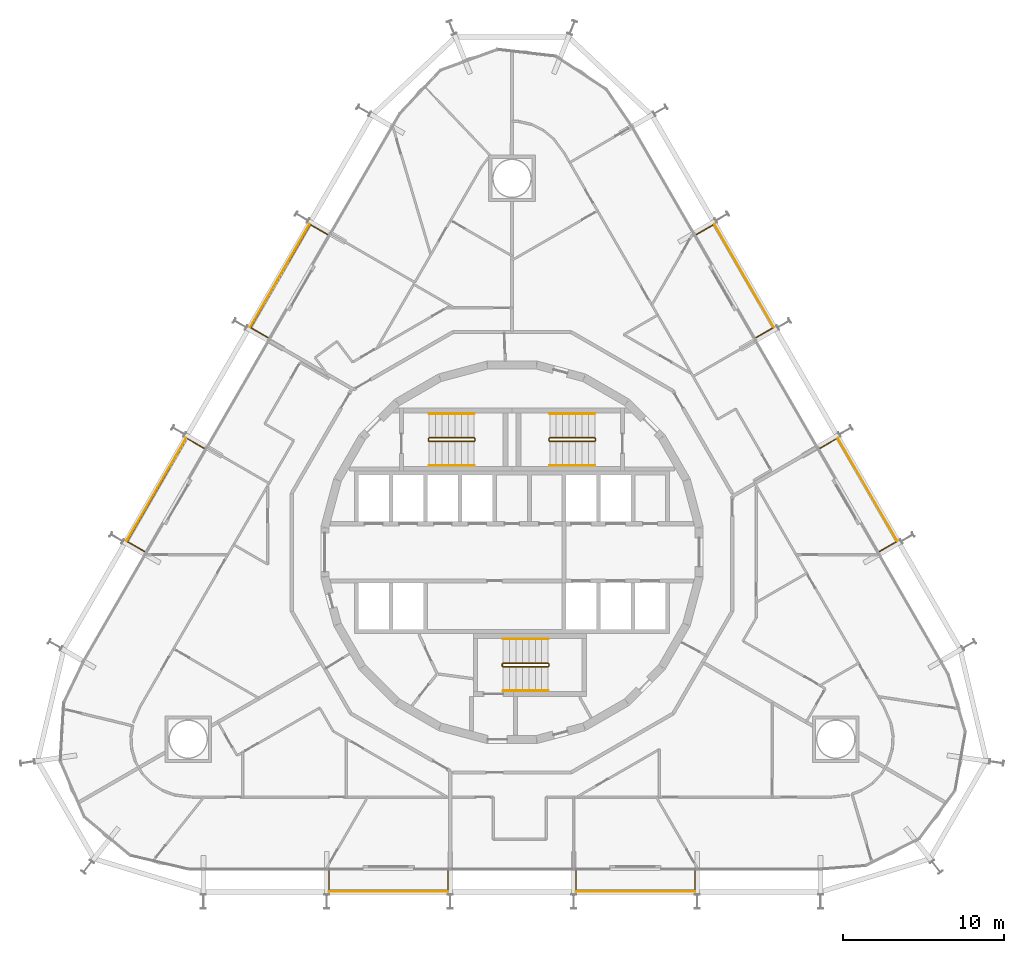
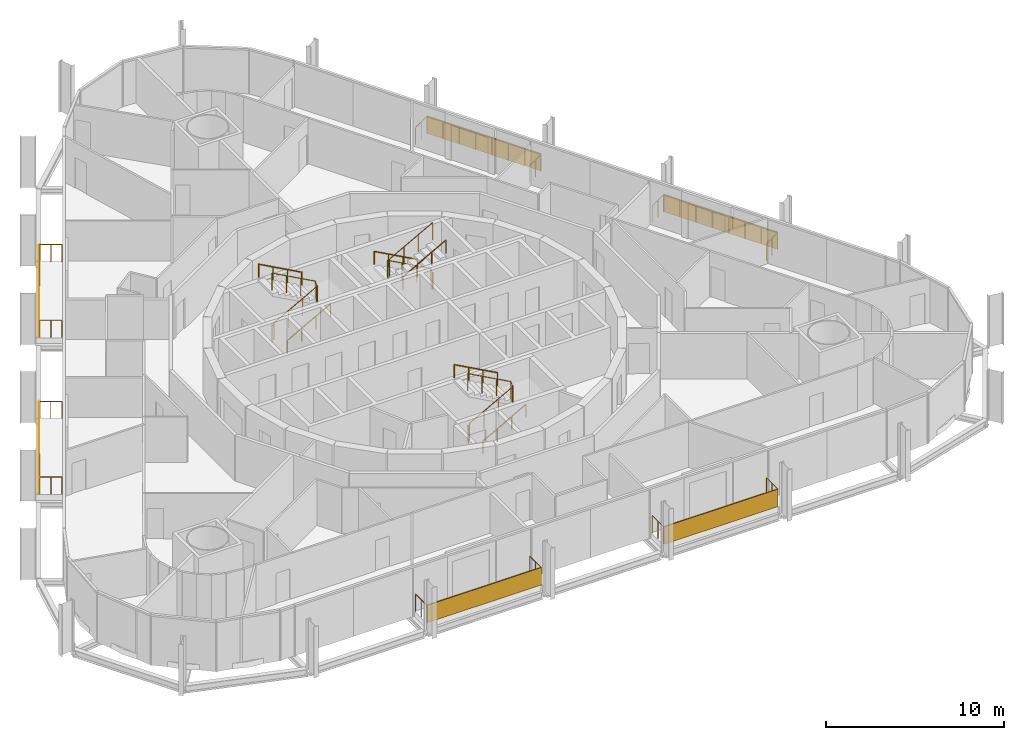
# One storey, part 19 of 19: 15 railings, 6 shading devices.
"""IFC4 building model written with IfcOpenShell, lengths in metres."""

from ifc_helpers import new_model, si_unit, direction, frame, origin, origin_2d, place, context, subcontext, project, spatial, rectangle, circle, extrude, material, layer, layer_set, type_object, element, save


model = new_model("IFC4")

# Units and contexts
model_context = context("Model", 3, precision=1e-05, world=origin(), true_north=direction((0.0, 1.0)))
body_context = subcontext(model_context, "Body", "Model", "MODEL_VIEW")
ifc_project = project(units=[si_unit("LENGTHUNIT", "METRE"), si_unit("AREAUNIT", "SQUARE_METRE"), si_unit("VOLUMEUNIT", "CUBIC_METRE"), si_unit("PLANEANGLEUNIT", "RADIAN"), si_unit("MASSUNIT", "GRAM", prefix="KILO")], contexts=[model_context])

# Site, building, storey
site_placement = place(None, origin())
site = spatial("IfcSite", under=ifc_project, at=site_placement, CompositionType="ELEMENT")
building_placement = place(site_placement, origin())
building = spatial("IfcBuilding", under=site, at=building_placement, Name="Spindle Arch Residences", CompositionType="ELEMENT")
storey_placement = place(building_placement, frame((0.0, 0.0, 45.39990234375)))
storey = spatial("IfcBuildingStorey", under=building, at=storey_placement, Name="L09", CompositionType="ELEMENT", Elevation=45.39990234375)

# Railings
ifc_material_1 = material(Name="Bronze anodised aluminium guard with glass infill", Category="aluminium")
railing_type_1 = type_object("IfcRailingType", Name="Balcony guard 1200", PredefinedType="GUARDRAIL", material=ifc_material_1)
railing_1_placement = place(storey_placement, frame((3.97509765625, -19.81982421875, 0.0)))
element("IfcRailing", 1, at=railing_1_placement, inside=storey, type_object=railing_type_1, Name="Guard L09 bay 1", PredefinedType="GUARDRAIL", context=body_context, shape_type="SweptSolid", body=[
    extrude(circle(Radius=0.02392578125, at=origin_2d()), frame((0.0, 0.0, 1.17578125), z_axis=(0.0, -1.0, 0.0), x_axis=(1.0, 0.0, 0.0)), (0.0, 0.0, 1.0), 1.25),
    extrude(circle(Radius=0.02392578125, at=origin_2d()), frame((0.0, -1.25, 1.17578125), z_axis=(1.0, 0.0, 0.0), x_axis=(0.0, 1.0, 0.0)), (0.0, 0.0, 1.0), 7.409912109375),
    extrude(circle(Radius=0.02392578125, at=origin_2d()), frame((7.409912109375, -1.25, 1.17578125), z_axis=(0.0, 1.0, 0.0), x_axis=(-1.0, 0.0, 0.0)), (0.0, 0.0, 1.0), 1.25),
    extrude(circle(Radius=0.02099609375, at=origin_2d()), origin(), (0.0, 0.0, 1.0), 1.15185546875),
    extrude(circle(Radius=0.02099609375, at=origin_2d()), frame((0.0, -0.625, 0.0)), (0.0, 0.0, 1.0), 1.15185546875),
    extrude(circle(Radius=0.02099609375, at=origin_2d()), frame((0.0, -1.25, 0.0)), (0.0, 0.0, 1.0), 1.15185546875),
    extrude(circle(Radius=0.02099609375, at=origin_2d()), frame((1.05859375, -1.25, 0.0)), (0.0, 0.0, 1.0), 1.15185546875),
    extrude(circle(Radius=0.02099609375, at=origin_2d()), frame((2.1171875, -1.25, 0.0)), (0.0, 0.0, 1.0), 1.15185546875),
    extrude(circle(Radius=0.02099609375, at=origin_2d()), frame((3.17578125, -1.25, 0.0)), (0.0, 0.0, 1.0), 1.15185546875),
    extrude(circle(Radius=0.02099609375, at=origin_2d()), frame((4.234130859375, -1.25, 0.0)), (0.0, 0.0, 1.0), 1.15185546875),
    extrude(circle(Radius=0.02099609375, at=origin_2d()), frame((5.292724609375, -1.25, 0.0)), (0.0, 0.0, 1.0), 1.15185546875),
    extrude(circle(Radius=0.02099609375, at=origin_2d()), frame((6.351318359375, -1.25, 0.0)), (0.0, 0.0, 1.0), 1.15185546875),
    extrude(circle(Radius=0.02099609375, at=origin_2d()), frame((7.409912109375, -1.25, 0.0)), (0.0, 0.0, 1.0), 1.15185546875),
    extrude(circle(Radius=0.02099609375, at=origin_2d()), frame((7.409912109375, -0.625, 0.0)), (0.0, 0.0, 1.0), 1.15185546875),
    extrude(circle(Radius=0.02099609375, at=origin_2d()), frame((7.409912109375, 0.0, 0.0)), (0.0, 0.0, 1.0), 1.15185546875),
])
railing_2_placement = place(storey_placement, frame((22.857177734375, 0.050048828125, 0.0)))
element("IfcRailing", 2, at=railing_2_placement, inside=storey, type_object=railing_type_1, Name="Guard L09 bay 7", PredefinedType="GUARDRAIL", context=body_context, shape_type="SweptSolid", body=[
    extrude(circle(Radius=0.02392578125, at=origin_2d()), frame((0.0, 0.0, 1.17578125), z_axis=(0.866022959057, 0.500004234368, 0.0), x_axis=(-0.500004234368, 0.866022959057, 0.0)), (0.0, 0.0, 1.0), 1.25),
    extrude(circle(Radius=0.02392578125, at=origin_2d()), frame((1.08251953125, 0.625, 1.17578125), z_axis=(-0.499994337101, 0.866028673236, 0.0), x_axis=(-0.866028673236, -0.499994337101, 0.0)), (0.0, 0.0, 1.0), 7.41015625),
    extrude(circle(Radius=0.02392578125, at=origin_2d()), frame((-2.62255859375, 7.04248046875, 1.17578125), z_axis=(-0.866022959057, -0.500004234368, 0.0), x_axis=(0.500004234368, -0.866022959057, 0.0)), (0.0, 0.0, 1.0), 1.25),
    extrude(circle(Radius=0.02099609375, at=origin_2d()), origin(), (0.0, 0.0, 1.0), 1.15185546875),
    extrude(circle(Radius=0.02099609375, at=origin_2d()), frame((0.541259765625, 0.3125, 0.0)), (0.0, 0.0, 1.0), 1.15185546875),
    extrude(circle(Radius=0.02099609375, at=origin_2d()), frame((1.08251953125, 0.625, 0.0)), (0.0, 0.0, 1.0), 1.15185546875),
    extrude(circle(Radius=0.02099609375, at=origin_2d()), frame((0.55322265625, 1.541748046875, 0.0)), (0.0, 0.0, 1.0), 1.15185546875),
    extrude(circle(Radius=0.02099609375, at=origin_2d()), frame((0.02392578125, 2.45849609375, 0.0)), (0.0, 0.0, 1.0), 1.15185546875),
    extrude(circle(Radius=0.02099609375, at=origin_2d()), frame((-0.50537109375, 3.375244140625, 0.0)), (0.0, 0.0, 1.0), 1.15185546875),
    extrude(circle(Radius=0.02099609375, at=origin_2d()), frame((-1.03466796875, 4.292236328125, 0.0)), (0.0, 0.0, 1.0), 1.15185546875),
    extrude(circle(Radius=0.02099609375, at=origin_2d()), frame((-1.56396484375, 5.208984375, 0.0)), (0.0, 0.0, 1.0), 1.15185546875),
    extrude(circle(Radius=0.02099609375, at=origin_2d()), frame((-2.09326171875, 6.125732421875, 0.0)), (0.0, 0.0, 1.0), 1.15185546875),
    extrude(circle(Radius=0.02099609375, at=origin_2d()), frame((-2.62255859375, 7.04248046875, 0.0)), (0.0, 0.0, 1.0), 1.15185546875),
    extrude(circle(Radius=0.02099609375, at=origin_2d()), frame((-3.163818359375, 6.72998046875, 0.0)), (0.0, 0.0, 1.0), 1.15185546875),
    extrude(circle(Radius=0.02099609375, at=origin_2d()), frame((-3.705078125, 6.41748046875, 0.0)), (0.0, 0.0, 1.0), 1.15185546875),
])
railing_3_placement = place(storey_placement, frame((15.177001953125, 13.3525390625, 0.0)))
element("IfcRailing", 3, at=railing_3_placement, inside=storey, type_object=railing_type_1, Name="Guard L09 bay 9", PredefinedType="GUARDRAIL", context=body_context, shape_type="SweptSolid", body=[
    extrude(circle(Radius=0.02392578125, at=origin_2d()), frame((0.0, 0.0, 1.17578125), z_axis=(0.866022959057, 0.500004234368, 0.0), x_axis=(-0.500004234368, 0.866022959057, 0.0)), (0.0, 0.0, 1.0), 1.25),
    extrude(circle(Radius=0.02392578125, at=origin_2d()), frame((1.08251953125, 0.625, 1.17578125), z_axis=(-0.500008603535, 0.866020436474, 0.0), x_axis=(-0.866020436474, -0.500008603535, 0.0)), (0.0, 0.0, 1.0), 7.409912109375),
    extrude(circle(Radius=0.02392578125, at=origin_2d()), frame((-2.62255859375, 7.042236328125, 1.17578125), z_axis=(-0.866022959057, -0.500004234368, 0.0), x_axis=(0.500004234368, -0.866022959057, 0.0)), (0.0, 0.0, 1.0), 1.25),
    extrude(circle(Radius=0.02099609375, at=origin_2d()), origin(), (0.0, 0.0, 1.0), 1.15185546875),
    extrude(circle(Radius=0.02099609375, at=origin_2d()), frame((0.541259765625, 0.3125, 0.0)), (0.0, 0.0, 1.0), 1.15185546875),
    extrude(circle(Radius=0.02099609375, at=origin_2d()), frame((1.08251953125, 0.625, 0.0)), (0.0, 0.0, 1.0), 1.15185546875),
    extrude(circle(Radius=0.02099609375, at=origin_2d()), frame((0.55322265625, 1.541748046875, 0.0)), (0.0, 0.0, 1.0), 1.15185546875),
    extrude(circle(Radius=0.02099609375, at=origin_2d()), frame((0.02392578125, 2.45849609375, 0.0)), (0.0, 0.0, 1.0), 1.15185546875),
    extrude(circle(Radius=0.02099609375, at=origin_2d()), frame((-0.50537109375, 3.375244140625, 0.0)), (0.0, 0.0, 1.0), 1.15185546875),
    extrude(circle(Radius=0.02099609375, at=origin_2d()), frame((-1.03466796875, 4.2919921875, 0.0)), (0.0, 0.0, 1.0), 1.15185546875),
    extrude(circle(Radius=0.02099609375, at=origin_2d()), frame((-1.56396484375, 5.208740234375, 0.0)), (0.0, 0.0, 1.0), 1.15185546875),
    extrude(circle(Radius=0.02099609375, at=origin_2d()), frame((-2.09326171875, 6.12548828125, 0.0)), (0.0, 0.0, 1.0), 1.15185546875),
    extrude(circle(Radius=0.02099609375, at=origin_2d()), frame((-2.62255859375, 7.042236328125, 0.0)), (0.0, 0.0, 1.0), 1.15185546875),
    extrude(circle(Radius=0.02099609375, at=origin_2d()), frame((-3.163818359375, 6.729736328125, 0.0)), (0.0, 0.0, 1.0), 1.15185546875),
    extrude(circle(Radius=0.02099609375, at=origin_2d()), frame((-3.705078125, 6.417236328125, 0.0)), (0.0, 0.0, 1.0), 1.15185546875),
])
railing_4_placement = place(storey_placement, frame((-11.471923828125, 19.769775390625, 0.0)))
element("IfcRailing", 4, at=railing_4_placement, inside=storey, type_object=railing_type_1, Name="Guard L09 bay 15", PredefinedType="GUARDRAIL", context=body_context, shape_type="SweptSolid", body=[
    extrude(circle(Radius=0.02392578125, at=origin_2d()), frame((0.0, 0.0, 1.17578125), z_axis=(-0.866022959057, 0.500004234368, 0.0), x_axis=(-0.500004234368, -0.866022959057, 0.0)), (0.0, 0.0, 1.0), 1.25),
    extrude(circle(Radius=0.02392578125, at=origin_2d()), frame((-1.08251953125, 0.625, 1.17578125), z_axis=(-0.500008603535, -0.866020436474, 0.0), x_axis=(0.866020436474, -0.500008603535, 0.0)), (0.0, 0.0, 1.0), 7.409912109375),
    extrude(circle(Radius=0.02392578125, at=origin_2d()), frame((-4.78759765625, -5.792236328125, 1.17578125), z_axis=(0.866022959057, -0.500004234368, 0.0), x_axis=(0.500004234368, 0.866022959057, 0.0)), (0.0, 0.0, 1.0), 1.25),
    extrude(circle(Radius=0.02099609375, at=origin_2d()), origin(), (0.0, 0.0, 1.0), 1.15185546875),
    extrude(circle(Radius=0.02099609375, at=origin_2d()), frame((-0.541259765625, 0.3125, 0.0)), (0.0, 0.0, 1.0), 1.15185546875),
    extrude(circle(Radius=0.02099609375, at=origin_2d()), frame((-1.08251953125, 0.625, 0.0)), (0.0, 0.0, 1.0), 1.15185546875),
    extrude(circle(Radius=0.02099609375, at=origin_2d()), frame((-1.61181640625, -0.291748046875, 0.0)), (0.0, 0.0, 1.0), 1.15185546875),
    extrude(circle(Radius=0.02099609375, at=origin_2d()), frame((-2.14111328125, -1.20849609375, 0.0)), (0.0, 0.0, 1.0), 1.15185546875),
    extrude(circle(Radius=0.02099609375, at=origin_2d()), frame((-2.67041015625, -2.125244140625, 0.0)), (0.0, 0.0, 1.0), 1.15185546875),
    extrude(circle(Radius=0.02099609375, at=origin_2d()), frame((-3.19970703125, -3.0419921875, 0.0)), (0.0, 0.0, 1.0), 1.15185546875),
    extrude(circle(Radius=0.02099609375, at=origin_2d()), frame((-3.72900390625, -3.958740234375, 0.0)), (0.0, 0.0, 1.0), 1.15185546875),
    extrude(circle(Radius=0.02099609375, at=origin_2d()), frame((-4.25830078125, -4.87548828125, 0.0)), (0.0, 0.0, 1.0), 1.15185546875),
    extrude(circle(Radius=0.02099609375, at=origin_2d()), frame((-4.78759765625, -5.792236328125, 0.0)), (0.0, 0.0, 1.0), 1.15185546875),
    extrude(circle(Radius=0.02099609375, at=origin_2d()), frame((-4.246337890625, -6.104736328125, 0.0)), (0.0, 0.0, 1.0), 1.15185546875),
    extrude(circle(Radius=0.02099609375, at=origin_2d()), frame((-3.705078125, -6.417236328125, 0.0)), (0.0, 0.0, 1.0), 1.15185546875),
])
railing_5_placement = place(storey_placement, frame((-19.152099609375, 6.467529296875, 0.0)))
element("IfcRailing", 5, at=railing_5_placement, inside=storey, type_object=railing_type_1, Name="Guard L09 bay 17", PredefinedType="GUARDRAIL", context=body_context, shape_type="SweptSolid", body=[
    extrude(circle(Radius=0.02392578125, at=origin_2d()), frame((0.0, 0.0, 1.17578125), z_axis=(-0.866022959057, 0.500004234368, 0.0), x_axis=(-0.500004234368, -0.866022959057, 0.0)), (0.0, 0.0, 1.0), 1.25),
    extrude(circle(Radius=0.02392578125, at=origin_2d()), frame((-1.08251953125, 0.625, 1.17578125), z_axis=(-0.499994337101, -0.866028673236, 0.0), x_axis=(0.866028673236, -0.499994337101, 0.0)), (0.0, 0.0, 1.0), 7.41015625),
    extrude(circle(Radius=0.02392578125, at=origin_2d()), frame((-4.78759765625, -5.79248046875, 1.17578125), z_axis=(0.866022959057, -0.500004234368, 0.0), x_axis=(0.500004234368, 0.866022959057, 0.0)), (0.0, 0.0, 1.0), 1.25),
    extrude(circle(Radius=0.02099609375, at=origin_2d()), origin(), (0.0, 0.0, 1.0), 1.15185546875),
    extrude(circle(Radius=0.02099609375, at=origin_2d()), frame((-0.541259765625, 0.3125, 0.0)), (0.0, 0.0, 1.0), 1.15185546875),
    extrude(circle(Radius=0.02099609375, at=origin_2d()), frame((-1.08251953125, 0.625, 0.0)), (0.0, 0.0, 1.0), 1.15185546875),
    extrude(circle(Radius=0.02099609375, at=origin_2d()), frame((-1.61181640625, -0.291748046875, 0.0)), (0.0, 0.0, 1.0), 1.15185546875),
    extrude(circle(Radius=0.02099609375, at=origin_2d()), frame((-2.14111328125, -1.20849609375, 0.0)), (0.0, 0.0, 1.0), 1.15185546875),
    extrude(circle(Radius=0.02099609375, at=origin_2d()), frame((-2.67041015625, -2.125244140625, 0.0)), (0.0, 0.0, 1.0), 1.15185546875),
    extrude(circle(Radius=0.02099609375, at=origin_2d()), frame((-3.19970703125, -3.042236328125, 0.0)), (0.0, 0.0, 1.0), 1.15185546875),
    extrude(circle(Radius=0.02099609375, at=origin_2d()), frame((-3.72900390625, -3.958984375, 0.0)), (0.0, 0.0, 1.0), 1.15185546875),
    extrude(circle(Radius=0.02099609375, at=origin_2d()), frame((-4.25830078125, -4.875732421875, 0.0)), (0.0, 0.0, 1.0), 1.15185546875),
    extrude(circle(Radius=0.02099609375, at=origin_2d()), frame((-4.78759765625, -5.79248046875, 0.0)), (0.0, 0.0, 1.0), 1.15185546875),
    extrude(circle(Radius=0.02099609375, at=origin_2d()), frame((-4.246337890625, -6.10498046875, 0.0)), (0.0, 0.0, 1.0), 1.15185546875),
    extrude(circle(Radius=0.02099609375, at=origin_2d()), frame((-3.705078125, -6.41748046875, 0.0)), (0.0, 0.0, 1.0), 1.15185546875),
])
railing_6_placement = place(storey_placement, frame((-11.385009765625, -19.81982421875, 0.0)))
element("IfcRailing", 6, at=railing_6_placement, inside=storey, type_object=railing_type_1, Name="Guard L09 bay 23", PredefinedType="GUARDRAIL", context=body_context, shape_type="SweptSolid", body=[
    extrude(circle(Radius=0.02392578125, at=origin_2d()), frame((0.0, 0.0, 1.17578125), z_axis=(0.0, -1.0, 0.0), x_axis=(1.0, 0.0, 0.0)), (0.0, 0.0, 1.0), 1.25),
    extrude(circle(Radius=0.02392578125, at=origin_2d()), frame((0.0, -1.25, 1.17578125), z_axis=(1.0, 0.0, 0.0), x_axis=(0.0, 1.0, 0.0)), (0.0, 0.0, 1.0), 7.409912109375),
    extrude(circle(Radius=0.02392578125, at=origin_2d()), frame((7.409912109375, -1.25, 1.17578125), z_axis=(0.0, 1.0, 0.0), x_axis=(-1.0, 0.0, 0.0)), (0.0, 0.0, 1.0), 1.25),
    extrude(circle(Radius=0.02099609375, at=origin_2d()), origin(), (0.0, 0.0, 1.0), 1.15185546875),
    extrude(circle(Radius=0.02099609375, at=origin_2d()), frame((0.0, -0.625, 0.0)), (0.0, 0.0, 1.0), 1.15185546875),
    extrude(circle(Radius=0.02099609375, at=origin_2d()), frame((0.0, -1.25, 0.0)), (0.0, 0.0, 1.0), 1.15185546875),
    extrude(circle(Radius=0.02099609375, at=origin_2d()), frame((1.05859375, -1.25, 0.0)), (0.0, 0.0, 1.0), 1.15185546875),
    extrude(circle(Radius=0.02099609375, at=origin_2d()), frame((2.1171875, -1.25, 0.0)), (0.0, 0.0, 1.0), 1.15185546875),
    extrude(circle(Radius=0.02099609375, at=origin_2d()), frame((3.17578125, -1.25, 0.0)), (0.0, 0.0, 1.0), 1.15185546875),
    extrude(circle(Radius=0.02099609375, at=origin_2d()), frame((4.234130859375, -1.25, 0.0)), (0.0, 0.0, 1.0), 1.15185546875),
    extrude(circle(Radius=0.02099609375, at=origin_2d()), frame((5.292724609375, -1.25, 0.0)), (0.0, 0.0, 1.0), 1.15185546875),
    extrude(circle(Radius=0.02099609375, at=origin_2d()), frame((6.351318359375, -1.25, 0.0)), (0.0, 0.0, 1.0), 1.15185546875),
    extrude(circle(Radius=0.02099609375, at=origin_2d()), frame((7.409912109375, -1.25, 0.0)), (0.0, 0.0, 1.0), 1.15185546875),
    extrude(circle(Radius=0.02099609375, at=origin_2d()), frame((7.409912109375, -0.625, 0.0)), (0.0, 0.0, 1.0), 1.15185546875),
    extrude(circle(Radius=0.02099609375, at=origin_2d()), frame((7.409912109375, 0.0, 0.0)), (0.0, 0.0, 1.0), 1.15185546875),
])

# Shading devices
ifc_material_2 = material(Name="Bronze perforated cobogo screen")
ifc_layer = layer(ifc_material_2, 0.0390625)
ifc_layer_set = layer_set([ifc_layer], Name="Cobogo screen 1200")
shading_device_type = type_object("IfcShadingDeviceType", Name="Cobogo screen 1200", PredefinedType="USERDEFINED", material=ifc_layer_set)
for number, where, z_axis, x_axis, name in (
    (7, (7.68017578125, -21.1103515625, 0.0), (0.0, 0.0, 1.0), (1.0, 0.0, 0.0), "Cobogo screen L09 bay 1"),
    (8, (22.1220703125, 3.904052734375, 0.0), (0.0, 0.0, 1.0), (-0.5, 0.866025403784, 0.0), "Cobogo screen L09 bay 7"),
    (9, (14.442138671875, 17.206298828125, 0.0), (0.0, 0.0, 1.0), (-0.5, 0.866025403784, 0.0), "Cobogo screen L09 bay 9"),
    (10, (-14.442138671875, 17.206298828125, 0.0), (0.0, 0.0, 1.0), (-0.5, -0.866025403784, 0.0), "Cobogo screen L09 bay 15"),
    (11, (-22.1220703125, 3.904052734375, 0.0), (0.0, 0.0, 1.0), (-0.5, -0.866025403784, 0.0), "Cobogo screen L09 bay 17"),
    (12, (-7.68017578125, -21.1103515625, 0.0), (0.0, 0.0, 1.0), (1.0, 0.0, 0.0), "Cobogo screen L09 bay 23"),
):
    element("IfcShadingDevice", number, at=place(storey_placement, frame(where, z_axis=z_axis, x_axis=x_axis)), inside=storey, type_object=shading_device_type, Name=name, ObjectType="SCREEN", PredefinedType="USERDEFINED", context=body_context, shape_type="SweptSolid", body=[
        extrude(rectangle(XDim=7.41015625, YDim=0.0390625, at=origin_2d()), origin(), (0.0, 0.0, 1.0), 1.199951171875),
    ])

# Railings
ifc_material_3 = material(Name="Steel, painted", Category="steel")
railing_type_2 = type_object("IfcRailingType", Name="Stair guard 1100", PredefinedType="GUARDRAIL", material=ifc_material_3)
railing_7_placement = place(storey_placement, frame((5.14990234375, 6.89990234375, 3.5)))
element("IfcRailing", 13, at=railing_7_placement, inside=storey, type_object=railing_type_2, Name="L09 ST1 stair guard 1", PredefinedType="GUARDRAIL", context=body_context, shape_type="SweptSolid", body=[
    extrude(circle(Radius=0.02392578125, at=origin_2d()), frame((0.0, 0.0, 1.17578125), z_axis=(-0.877357048833, 0.0, -0.479838106931), x_axis=(0.0, -1.0, 0.0)), (0.0, 0.0, 1.0), 3.191162109375),
    extrude(circle(Radius=0.02392578125, at=origin_2d()), frame((-2.7998046875, 0.0, -0.35546875), z_axis=(-0.217683172539, 0.217683172539, -0.951434744366), x_axis=(-0.707106781187, -0.707106781187, 0.0)), (0.0, 0.0, 1.0), 0.22998046875),
    extrude(circle(Radius=0.02392578125, at=origin_2d()), frame((-2.849853515625, 0.050048828125, -0.57421875), z_axis=(0.0, 1.0, 0.0), x_axis=(-1.0, 0.0, 0.0)), (0.0, 0.0, 1.0), 0.1201171875),
    extrude(circle(Radius=0.02392578125, at=origin_2d()), frame((-2.849853515625, 0.170166015625, -0.57421875), z_axis=(0.707106781187, 0.707106781187, 0.0), x_axis=(-0.707106781187, 0.707106781187, 0.0)), (0.0, 0.0, 1.0), 0.07080078125),
    extrude(circle(Radius=0.02392578125, at=origin_2d()), frame((-2.7998046875, 0.22021484375, -0.57421875), z_axis=(0.877357048833, 0.0, -0.479838106931), x_axis=(0.0, 1.0, 0.0)), (0.0, 0.0, 1.0), 3.191162109375),
    extrude(circle(Radius=0.02392578125, at=origin_2d()), frame((0.0, 0.22021484375, -2.10546875), z_axis=(0.217683172539, -0.217683172539, -0.951434744366), x_axis=(0.707106781187, 0.707106781187, 0.0)), (0.0, 0.0, 1.0), 0.22998046875),
    extrude(circle(Radius=0.02392578125, at=origin_2d()), frame((0.050048828125, 0.170166015625, -2.32421875), z_axis=(0.0, -1.0, 0.0), x_axis=(1.0, 0.0, 0.0)), (0.0, 0.0, 1.0), 0.1201171875),
    extrude(circle(Radius=0.02099609375, at=origin_2d()), origin(), (0.0, 0.0, 1.0), 1.15185546875),
    extrude(circle(Radius=0.02099609375, at=origin_2d()), frame((-0.933349609375, 0.0, -0.510498046875)), (0.0, 0.0, 1.0), 1.15185546875),
    extrude(circle(Radius=0.02099609375, at=origin_2d()), frame((-1.866455078125, 0.0, -1.020751953125)), (0.0, 0.0, 1.0), 1.15185546875),
    extrude(circle(Radius=0.02099609375, at=origin_2d()), frame((-2.7998046875, 0.0, -1.53125)), (0.0, 0.0, 1.0), 1.15185546875),
    extrude(circle(Radius=0.02099609375, at=origin_2d()), frame((-2.849853515625, 0.050048828125, -1.75)), (0.0, 0.0, 1.0), 1.15185546875),
    extrude(circle(Radius=0.02099609375, at=origin_2d()), frame((-2.849853515625, 0.170166015625, -1.75)), (0.0, 0.0, 1.0), 1.15185546875),
    extrude(circle(Radius=0.02099609375, at=origin_2d()), frame((-2.7998046875, 0.22021484375, -1.75)), (0.0, 0.0, 1.0), 1.15185546875),
    extrude(circle(Radius=0.02099609375, at=origin_2d()), frame((-1.866455078125, 0.22021484375, -2.260498046875)), (0.0, 0.0, 1.0), 1.15185546875),
    extrude(circle(Radius=0.02099609375, at=origin_2d()), frame((-0.933349609375, 0.22021484375, -2.770751953125)), (0.0, 0.0, 1.0), 1.15185546875),
    extrude(circle(Radius=0.02099609375, at=origin_2d()), frame((0.0, 0.22021484375, -3.28125)), (0.0, 0.0, 1.0), 1.15185546875),
    extrude(circle(Radius=0.02099609375, at=origin_2d()), frame((0.050048828125, 0.170166015625, -3.5)), (0.0, 0.0, 1.0), 1.15185546875),
    extrude(circle(Radius=0.02099609375, at=origin_2d()), frame((0.050048828125, 0.050048828125, -3.5)), (0.0, 0.0, 1.0), 1.15185546875),
])
railing_8_placement = place(storey_placement, frame((-5.14990234375, 7.1201171875, 3.5)))
element("IfcRailing", 14, at=railing_8_placement, inside=storey, type_object=railing_type_2, Name="L09 ST2 stair guard 1", PredefinedType="GUARDRAIL", context=body_context, shape_type="SweptSolid", body=[
    extrude(circle(Radius=0.02392578125, at=origin_2d()), frame((0.0, 0.0, 1.17578125), z_axis=(0.877357048833, 0.0, -0.479838106931), x_axis=(0.0, 1.0, 0.0)), (0.0, 0.0, 1.0), 3.191162109375),
    extrude(circle(Radius=0.02392578125, at=origin_2d()), frame((2.7998046875, 0.0, -0.35546875), z_axis=(0.217683172539, -0.217683172539, -0.951434744366), x_axis=(0.707106781187, 0.707106781187, 0.0)), (0.0, 0.0, 1.0), 0.22998046875),
    extrude(circle(Radius=0.02392578125, at=origin_2d()), frame((2.849853515625, -0.050048828125, -0.57421875), z_axis=(0.0, -1.0, 0.0), x_axis=(1.0, 0.0, 0.0)), (0.0, 0.0, 1.0), 0.1201171875),
    extrude(circle(Radius=0.02392578125, at=origin_2d()), frame((2.849853515625, -0.170166015625, -0.57421875), z_axis=(-0.707106781187, -0.707106781187, 0.0), x_axis=(0.707106781187, -0.707106781187, 0.0)), (0.0, 0.0, 1.0), 0.07080078125),
    extrude(circle(Radius=0.02392578125, at=origin_2d()), frame((2.7998046875, -0.22021484375, -0.57421875), z_axis=(-0.877357048833, 0.0, -0.479838106931), x_axis=(0.0, -1.0, 0.0)), (0.0, 0.0, 1.0), 3.191162109375),
    extrude(circle(Radius=0.02392578125, at=origin_2d()), frame((0.0, -0.22021484375, -2.10546875), z_axis=(-0.217683172539, 0.217683172539, -0.951434744366), x_axis=(-0.707106781187, -0.707106781187, 0.0)), (0.0, 0.0, 1.0), 0.22998046875),
    extrude(circle(Radius=0.02392578125, at=origin_2d()), frame((-0.050048828125, -0.170166015625, -2.32421875), z_axis=(0.0, 1.0, 0.0), x_axis=(-1.0, 0.0, 0.0)), (0.0, 0.0, 1.0), 0.1201171875),
    extrude(circle(Radius=0.02099609375, at=origin_2d()), origin(), (0.0, 0.0, 1.0), 1.15185546875),
    extrude(circle(Radius=0.02099609375, at=origin_2d()), frame((0.933349609375, 0.0, -0.510498046875)), (0.0, 0.0, 1.0), 1.15185546875),
    extrude(circle(Radius=0.02099609375, at=origin_2d()), frame((1.866455078125, 0.0, -1.020751953125)), (0.0, 0.0, 1.0), 1.15185546875),
    extrude(circle(Radius=0.02099609375, at=origin_2d()), frame((2.7998046875, 0.0, -1.53125)), (0.0, 0.0, 1.0), 1.15185546875),
    extrude(circle(Radius=0.02099609375, at=origin_2d()), frame((2.849853515625, -0.050048828125, -1.75)), (0.0, 0.0, 1.0), 1.15185546875),
    extrude(circle(Radius=0.02099609375, at=origin_2d()), frame((2.849853515625, -0.170166015625, -1.75)), (0.0, 0.0, 1.0), 1.15185546875),
    extrude(circle(Radius=0.02099609375, at=origin_2d()), frame((2.7998046875, -0.22021484375, -1.75)), (0.0, 0.0, 1.0), 1.15185546875),
    extrude(circle(Radius=0.02099609375, at=origin_2d()), frame((1.866455078125, -0.22021484375, -2.260498046875)), (0.0, 0.0, 1.0), 1.15185546875),
    extrude(circle(Radius=0.02099609375, at=origin_2d()), frame((0.933349609375, -0.22021484375, -2.770751953125)), (0.0, 0.0, 1.0), 1.15185546875),
    extrude(circle(Radius=0.02099609375, at=origin_2d()), frame((0.0, -0.22021484375, -3.28125)), (0.0, 0.0, 1.0), 1.15185546875),
    extrude(circle(Radius=0.02099609375, at=origin_2d()), frame((-0.050048828125, -0.170166015625, -3.5)), (0.0, 0.0, 1.0), 1.15185546875),
    extrude(circle(Radius=0.02099609375, at=origin_2d()), frame((-0.050048828125, -0.050048828125, -3.5)), (0.0, 0.0, 1.0), 1.15185546875),
])
railing_9_placement = place(storey_placement, frame((-0.550048828125, -6.89990234375, 3.5)))
element("IfcRailing", 15, at=railing_9_placement, inside=storey, type_object=railing_type_2, Name="L09 ST3 stair guard 1", PredefinedType="GUARDRAIL", context=body_context, shape_type="SweptSolid", body=[
    extrude(circle(Radius=0.02392578125, at=origin_2d()), frame((0.0, 0.0, 1.17578125), z_axis=(0.877374661878, 0.0, -0.479805901063), x_axis=(0.0, 1.0, 0.0)), (0.0, 0.0, 1.0), 3.19140625),
    extrude(circle(Radius=0.02392578125, at=origin_2d()), frame((2.800048828125, 0.0, -0.35546875), z_axis=(0.217683172539, -0.217683172539, -0.951434744366), x_axis=(0.707106781187, 0.707106781187, 0.0)), (0.0, 0.0, 1.0), 0.22998046875),
    extrude(circle(Radius=0.02392578125, at=origin_2d()), frame((2.85009765625, -0.050048828125, -0.57421875), z_axis=(0.0, -1.0, 0.0), x_axis=(1.0, 0.0, 0.0)), (0.0, 0.0, 1.0), 0.1201171875),
    extrude(circle(Radius=0.02392578125, at=origin_2d()), frame((2.85009765625, -0.170166015625, -0.57421875), z_axis=(-0.707106781187, -0.707106781187, 0.0), x_axis=(0.707106781187, -0.707106781187, 0.0)), (0.0, 0.0, 1.0), 0.07080078125),
    extrude(circle(Radius=0.02392578125, at=origin_2d()), frame((2.800048828125, -0.22021484375, -0.57421875), z_axis=(-0.877374661878, 0.0, -0.479805901063), x_axis=(0.0, -1.0, 0.0)), (0.0, 0.0, 1.0), 3.19140625),
    extrude(circle(Radius=0.02392578125, at=origin_2d()), frame((0.0, -0.22021484375, -2.10546875), z_axis=(-0.217683172539, 0.217683172539, -0.951434744366), x_axis=(-0.707106781187, -0.707106781187, 0.0)), (0.0, 0.0, 1.0), 0.22998046875),
    extrude(circle(Radius=0.02392578125, at=origin_2d()), frame((-0.050048828125, -0.170166015625, -2.32421875), z_axis=(0.0, 1.0, 0.0), x_axis=(-1.0, 0.0, 0.0)), (0.0, 0.0, 1.0), 0.1201171875),
    extrude(circle(Radius=0.02099609375, at=origin_2d()), origin(), (0.0, 0.0, 1.0), 1.15185546875),
    extrude(circle(Radius=0.02099609375, at=origin_2d()), frame((0.933349609375, 0.0, -0.510498046875)), (0.0, 0.0, 1.0), 1.15185546875),
    extrude(circle(Radius=0.02099609375, at=origin_2d()), frame((1.86669921875, 0.0, -1.020751953125)), (0.0, 0.0, 1.0), 1.15185546875),
    extrude(circle(Radius=0.02099609375, at=origin_2d()), frame((2.800048828125, 0.0, -1.53125)), (0.0, 0.0, 1.0), 1.15185546875),
    extrude(circle(Radius=0.02099609375, at=origin_2d()), frame((2.85009765625, -0.050048828125, -1.75)), (0.0, 0.0, 1.0), 1.15185546875),
    extrude(circle(Radius=0.02099609375, at=origin_2d()), frame((2.85009765625, -0.170166015625, -1.75)), (0.0, 0.0, 1.0), 1.15185546875),
    extrude(circle(Radius=0.02099609375, at=origin_2d()), frame((2.800048828125, -0.22021484375, -1.75)), (0.0, 0.0, 1.0), 1.15185546875),
    extrude(circle(Radius=0.02099609375, at=origin_2d()), frame((1.86669921875, -0.22021484375, -2.260498046875)), (0.0, 0.0, 1.0), 1.15185546875),
    extrude(circle(Radius=0.02099609375, at=origin_2d()), frame((0.933349609375, -0.22021484375, -2.770751953125)), (0.0, 0.0, 1.0), 1.15185546875),
    extrude(circle(Radius=0.02099609375, at=origin_2d()), frame((0.0, -0.22021484375, -3.28125)), (0.0, 0.0, 1.0), 1.15185546875),
    extrude(circle(Radius=0.02099609375, at=origin_2d()), frame((-0.050048828125, -0.170166015625, -3.5)), (0.0, 0.0, 1.0), 1.15185546875),
    extrude(circle(Radius=0.02099609375, at=origin_2d()), frame((-0.050048828125, -0.050048828125, -3.5)), (0.0, 0.0, 1.0), 1.15185546875),
])
ifc_material_4 = material(Name="Steel, painted", Category="steel")
railing_type_3 = type_object("IfcRailingType", Name="Stair handrail 900", PredefinedType="HANDRAIL", material=ifc_material_4)
railing_10_placement = place(storey_placement, frame((5.14990234375, 8.6201171875, 0.21875)))
element("IfcRailing", 16, at=railing_10_placement, inside=storey, type_object=railing_type_3, Name="L09 ST1 stair handrail 1", PredefinedType="HANDRAIL", context=body_context, shape_type="SweptSolid", body=[
    extrude(circle(Radius=0.02392578125, at=origin_2d()), frame((0.0, 0.0, 0.8759765625), z_axis=(-0.877357048833, 0.0, 0.479838106931), x_axis=(0.0, -1.0, 0.0)), (0.0, 0.0, 1.0), 3.191162109375),
    extrude(circle(Radius=0.02099609375, at=origin_2d()), origin(), (0.0, 0.0, 1.0), 0.851806640625),
    extrude(circle(Radius=0.02099609375, at=origin_2d()), frame((-0.933349609375, 0.0, 0.510498046875)), (0.0, 0.0, 1.0), 0.851806640625),
    extrude(circle(Radius=0.02099609375, at=origin_2d()), frame((-1.866455078125, 0.0, 1.020751953125)), (0.0, 0.0, 1.0), 0.851806640625),
    extrude(circle(Radius=0.02099609375, at=origin_2d()), frame((-2.7998046875, 0.0, 1.53125)), (0.0, 0.0, 1.0), 0.851806640625),
])
for number, where, name in (
    (17, (2.35009765625, 5.39990234375, 1.96875), "L09 ST1 stair handrail 2"),
    (18, (-5.14990234375, 5.39990234375, 0.21875), "L09 ST2 stair handrail 1"),
):
    element("IfcRailing", number, at=place(storey_placement, frame(where)), inside=storey, type_object=railing_type_3, Name=name, PredefinedType="HANDRAIL", context=body_context, shape_type="SweptSolid", body=[
        extrude(circle(Radius=0.02392578125, at=origin_2d()), frame((0.0, 0.0, 0.8759765625), z_axis=(0.877357048833, 0.0, 0.479838106931), x_axis=(0.0, 1.0, 0.0)), (0.0, 0.0, 1.0), 3.191162109375),
        extrude(circle(Radius=0.02099609375, at=origin_2d()), origin(), (0.0, 0.0, 1.0), 0.851806640625),
        extrude(circle(Radius=0.02099609375, at=origin_2d()), frame((0.933349609375, 0.0, 0.510498046875)), (0.0, 0.0, 1.0), 0.851806640625),
        extrude(circle(Radius=0.02099609375, at=origin_2d()), frame((1.866455078125, 0.0, 1.020751953125)), (0.0, 0.0, 1.0), 0.851806640625),
        extrude(circle(Radius=0.02099609375, at=origin_2d()), frame((2.7998046875, 0.0, 1.53125)), (0.0, 0.0, 1.0), 0.851806640625),
    ])
railing_11_placement = place(storey_placement, frame((-2.35009765625, 8.6201171875, 1.96875)))
element("IfcRailing", 19, at=railing_11_placement, inside=storey, type_object=railing_type_3, Name="L09 ST2 stair handrail 2", PredefinedType="HANDRAIL", context=body_context, shape_type="SweptSolid", body=[
    extrude(circle(Radius=0.02392578125, at=origin_2d()), frame((0.0, 0.0, 0.8759765625), z_axis=(-0.877357048833, 0.0, 0.479838106931), x_axis=(0.0, -1.0, 0.0)), (0.0, 0.0, 1.0), 3.191162109375),
    extrude(circle(Radius=0.02099609375, at=origin_2d()), origin(), (0.0, 0.0, 1.0), 0.851806640625),
    extrude(circle(Radius=0.02099609375, at=origin_2d()), frame((-0.933349609375, 0.0, 0.510498046875)), (0.0, 0.0, 1.0), 0.851806640625),
    extrude(circle(Radius=0.02099609375, at=origin_2d()), frame((-1.866455078125, 0.0, 1.020751953125)), (0.0, 0.0, 1.0), 0.851806640625),
    extrude(circle(Radius=0.02099609375, at=origin_2d()), frame((-2.7998046875, 0.0, 1.53125)), (0.0, 0.0, 1.0), 0.851806640625),
])
railing_12_placement = place(storey_placement, frame((-0.550048828125, -8.6201171875, 0.21875)))
element("IfcRailing", 20, at=railing_12_placement, inside=storey, type_object=railing_type_3, Name="L09 ST3 stair handrail 1", PredefinedType="HANDRAIL", context=body_context, shape_type="SweptSolid", body=[
    extrude(circle(Radius=0.02392578125, at=origin_2d()), frame((0.0, 0.0, 0.8759765625), z_axis=(0.877374661878, 0.0, 0.479805901063), x_axis=(0.0, 1.0, 0.0)), (0.0, 0.0, 1.0), 3.19140625),
    extrude(circle(Radius=0.02099609375, at=origin_2d()), origin(), (0.0, 0.0, 1.0), 0.851806640625),
    extrude(circle(Radius=0.02099609375, at=origin_2d()), frame((0.933349609375, 0.0, 0.510498046875)), (0.0, 0.0, 1.0), 0.851806640625),
    extrude(circle(Radius=0.02099609375, at=origin_2d()), frame((1.86669921875, 0.0, 1.020751953125)), (0.0, 0.0, 1.0), 0.851806640625),
    extrude(circle(Radius=0.02099609375, at=origin_2d()), frame((2.800048828125, 0.0, 1.53125)), (0.0, 0.0, 1.0), 0.851806640625),
])
railing_13_placement = place(storey_placement, frame((2.25, -5.39990234375, 1.96875)))
element("IfcRailing", 21, at=railing_13_placement, inside=storey, type_object=railing_type_3, Name="L09 ST3 stair handrail 2", PredefinedType="HANDRAIL", context=body_context, shape_type="SweptSolid", body=[
    extrude(circle(Radius=0.02392578125, at=origin_2d()), frame((0.0, 0.0, 0.8759765625), z_axis=(-0.877374661878, 0.0, 0.479805901063), x_axis=(0.0, -1.0, 0.0)), (0.0, 0.0, 1.0), 3.19140625),
    extrude(circle(Radius=0.02099609375, at=origin_2d()), origin(), (0.0, 0.0, 1.0), 0.851806640625),
    extrude(circle(Radius=0.02099609375, at=origin_2d()), frame((-0.933349609375, 0.0, 0.510498046875)), (0.0, 0.0, 1.0), 0.851806640625),
    extrude(circle(Radius=0.02099609375, at=origin_2d()), frame((-1.86669921875, 0.0, 1.020751953125)), (0.0, 0.0, 1.0), 0.851806640625),
    extrude(circle(Radius=0.02099609375, at=origin_2d()), frame((-2.800048828125, 0.0, 1.53125)), (0.0, 0.0, 1.0), 0.851806640625),
])

save(model, "model.ifc")
